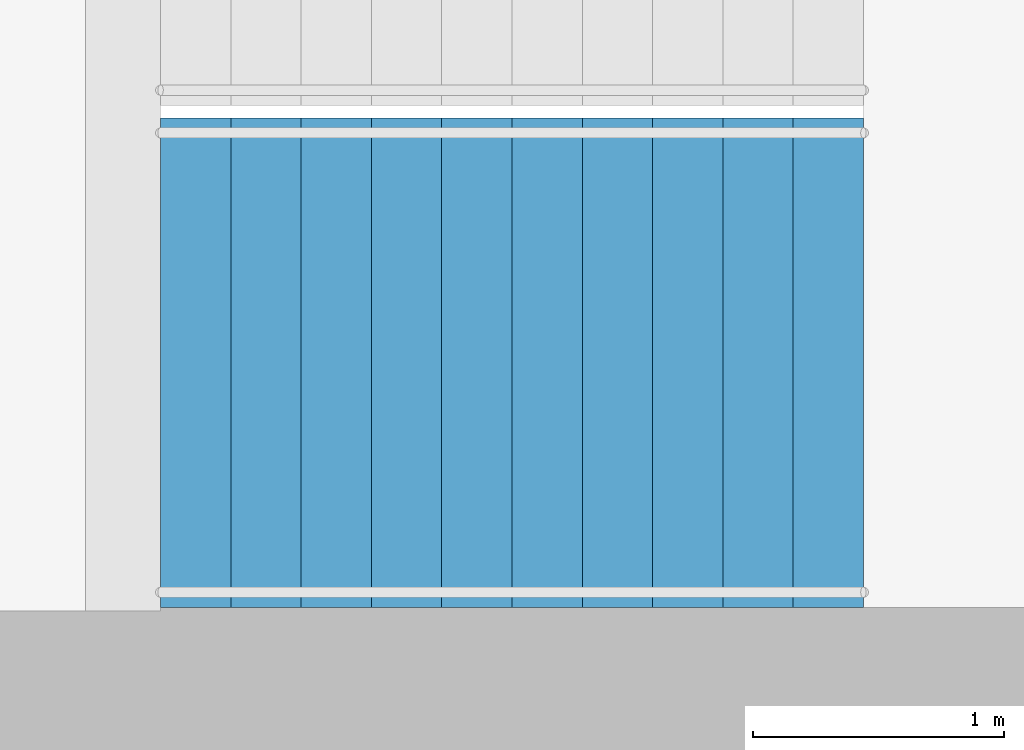
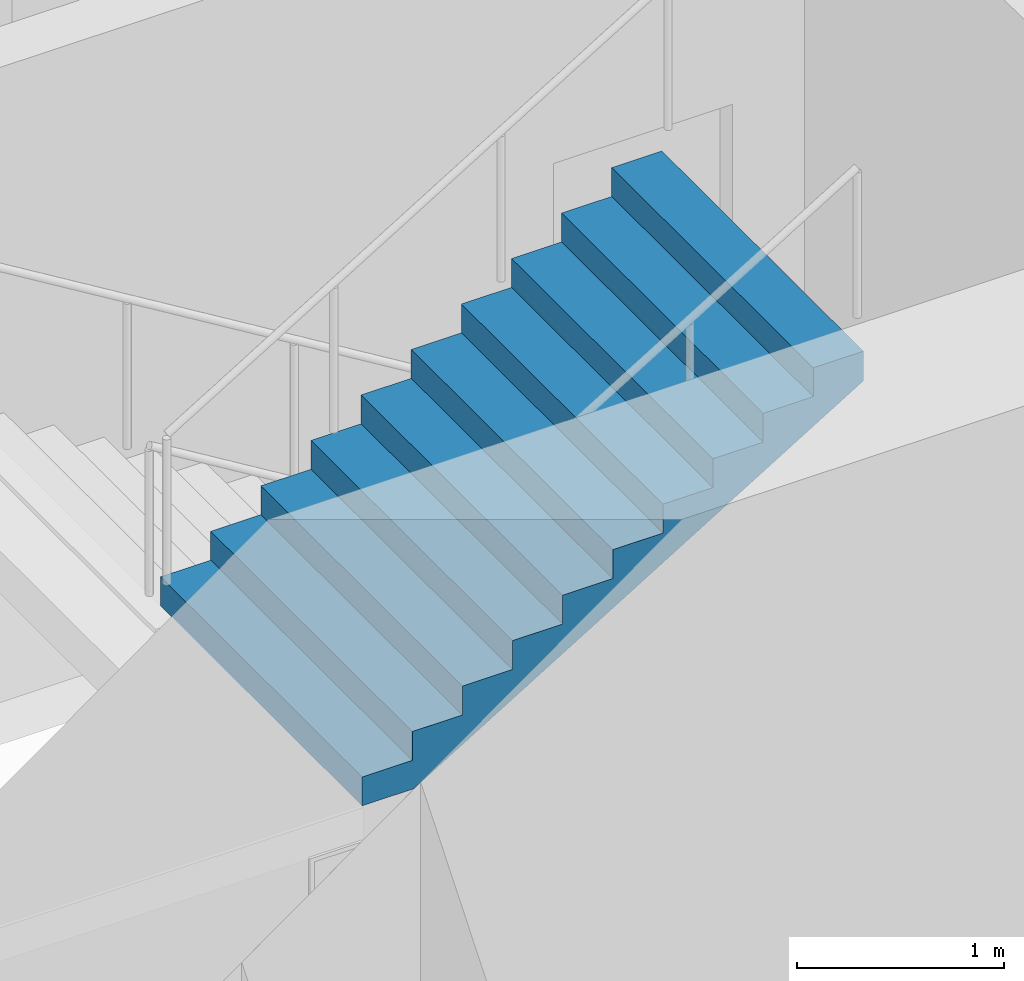
# One storey, part 21 of 23: 1 stair flight, 1 element without a shape of its own.
"""IFC4 building model written with IfcOpenShell, lengths in metres."""

from ifc_helpers import new_model, si_unit, direction, frame, origin, place, context, subcontext, project, spatial, triangles, material, type_object, element, aggregate, save


model = new_model("IFC4")

# Units and contexts
model_context = context("Model", 3, precision=1e-05, world=origin(), true_north=direction((0.0, 1.0)))
body_context = subcontext(model_context, "Body", "Model", "MODEL_VIEW")
ifc_project = project(units=[si_unit("LENGTHUNIT", "METRE"), si_unit("AREAUNIT", "SQUARE_METRE"), si_unit("VOLUMEUNIT", "CUBIC_METRE"), si_unit("PLANEANGLEUNIT", "RADIAN"), si_unit("MASSUNIT", "GRAM", prefix="KILO")], contexts=[model_context])

# Site, building, storey
site_placement = place(None, origin())
site = spatial("IfcSite", under=ifc_project, at=site_placement, CompositionType="ELEMENT")
building_placement = place(site_placement, origin())
building = spatial("IfcBuilding", under=site, at=building_placement, Name="Orbita Commons", CompositionType="ELEMENT")
storey_placement = place(building_placement, frame((0.0, 0.0, 50.199951171875)))
storey = spatial("IfcBuildingStorey", under=building, at=storey_placement, Name="L12", CompositionType="ELEMENT", Elevation=50.199951171875)

# Stair, stair flight
ifc_material_1 = material(Name="Precast concrete C40/50", Category="concrete")
stair_type = type_object("IfcStairType", Name="Exit stair S2 2 flights 11 risers 170", PredefinedType="HALF_TURN_STAIR", material=ifc_material_1)
stair_placement = place(storey_placement, origin())
stair = element("IfcStair", 1, at=stair_placement, inside=storey, type_object=stair_type, Name="Exit stair S2 L12", PredefinedType="HALF_TURN_STAIR")
ifc_material_2 = material(Name="Precast concrete C40/50", Category="concrete")
stair_flight_type = type_object("IfcStairFlightType", Name="Stair flight 11 risers 170 x 280", PredefinedType="STRAIGHT", material=ifc_material_2)
stair_flight_placement = place(storey_placement, frame((60.75, 27.27490234375, 1.875), z_axis=(0.0, 0.0, 1.0), x_axis=(1.0, 0.0, 0.0)))
stair_flight = element("IfcStairFlight", 2, at=stair_flight_placement, type_object=stair_flight_type, Name="S2 flight 2", NumberOfRisers=11, NumberOfTreads=10, PredefinedType="STRAIGHT", RiserHeight=0.170454545, TreadLength=0.28, context=body_context, shape_type="Tessellation", body=[
    triangles([(0.0, 0.974976, 0.0), (0.0, 0.974976, 0.021307), (0.0, 0.81248, 0.021307), (0.0, 0.81248, 0.0), (0.0, 0.649984, 0.021307), (0.0, 0.649984, 0.0), (0.0, 0.487488, 0.021307), (0.0, 0.487488, 0.0), (0.0, 0.324992, 0.021307), (0.0, 0.324992, 0.0), (0.0, 0.162496, 0.021307), (0.0, 0.162496, 0.0), (0.0, 0.0, 0.021307), (0.0, 0.0, 0.0), (0.0, -0.162496, 0.021307), (0.0, -0.162496, 0.0), (0.0, -0.324992, 0.021307), (0.0, -0.324992, 0.0), (0.0, -0.487488, 0.021307), (0.0, -0.487488, 0.0), (0.0, -0.649984, 0.021307), (0.0, -0.649984, 0.0), (0.0, -0.81248, 0.021307), (0.0, -0.81248, 0.0), (0.0, -0.974976, 0.021307), (0.0, -0.974976, 0.0), (0.0, 0.974976, 0.042614), (0.0, 0.81248, 0.042614), (0.0, 0.649984, 0.042614), (0.0, 0.487488, 0.042614), (0.0, 0.324992, 0.042614), (0.0, 0.162496, 0.042614), (0.0, 0.0, 0.042614), (0.0, -0.162496, 0.042614), (0.0, -0.324992, 0.042614), (0.0, -0.487488, 0.042614), (0.0, -0.649984, 0.042614), (0.0, -0.81248, 0.042614), (0.0, -0.974976, 0.042614), (0.0, 0.974976, 0.06392), (0.0, 0.81248, 0.06392), (0.0, 0.649984, 0.06392), (0.0, 0.487488, 0.06392), (0.0, 0.324992, 0.06392), (0.0, 0.162496, 0.06392), (0.0, 0.0, 0.06392), (0.0, -0.162496, 0.06392), (0.0, -0.324992, 0.06392), (0.0, -0.487488, 0.06392), (0.0, -0.649984, 0.06392), (0.0, -0.81248, 0.06392), (0.0, -0.974976, 0.06392), (0.0, 0.974976, 0.085227), (0.0, 0.81248, 0.085227), (0.0, 0.649984, 0.085227), (0.0, 0.487488, 0.085227), (0.0, 0.324992, 0.085227), (0.0, 0.162496, 0.085227), (0.0, 0.0, 0.085227), (0.0, -0.162496, 0.085227), (0.0, -0.324992, 0.085227), (0.0, -0.487488, 0.085227), (0.0, -0.649984, 0.085227), (0.0, -0.81248, 0.085227), (0.0, -0.974976, 0.085227), (0.0, 0.974976, 0.106534), (0.0, 0.81248, 0.106534), (0.0, 0.649984, 0.106534), (0.0, 0.487488, 0.106534), (0.0, 0.324992, 0.106534), (0.0, 0.162496, 0.106534), (0.0, 0.0, 0.106534), (0.0, -0.162496, 0.106534), (0.0, -0.324992, 0.106534), (0.0, -0.487488, 0.106534), (0.0, -0.649984, 0.106534), (0.0, -0.81248, 0.106534), (0.0, -0.974976, 0.106534), (0.0, 0.974976, 0.127841), (0.0, 0.81248, 0.127841), (0.0, 0.649984, 0.127841), (0.0, 0.487488, 0.127841), (0.0, 0.324992, 0.127841), (0.0, 0.162496, 0.127841), (0.0, 0.0, 0.127841), (0.0, -0.162496, 0.127841), (0.0, -0.324992, 0.127841), (0.0, -0.487488, 0.127841), (0.0, -0.649984, 0.127841), (0.0, -0.81248, 0.127841), (0.0, -0.974976, 0.127841), (0.0, 0.974976, 0.149148), (0.0, 0.81248, 0.149148), (0.0, 0.649984, 0.149148), (0.0, 0.487488, 0.149148), (0.0, 0.324992, 0.149148), (0.0, 0.162496, 0.149148), (0.0, 0.0, 0.149148), (0.0, -0.162496, 0.149148), (0.0, -0.324992, 0.149148), (0.0, -0.487488, 0.149148), (0.0, -0.649984, 0.149148), (0.0, -0.81248, 0.149148), (0.0, -0.974976, 0.149148), (0.0, 0.974976, 0.170455), (0.0, 0.81248, 0.170455), (0.0, 0.649984, 0.170455), (0.0, 0.487488, 0.170455), (0.0, 0.324992, 0.170455), (0.0, 0.162496, 0.170455), (0.0, 0.0, 0.170455), (0.0, -0.162496, 0.170455), (0.0, -0.324992, 0.170455), (0.0, -0.487488, 0.170455), (0.0, -0.649984, 0.170455), (0.0, -0.81248, 0.170455), (0.0, -0.974976, 0.170455), (0.28, 0.974976, 0.170455), (0.28, 0.81248, 0.170455), (0.28, 0.649984, 0.170455), (0.28, 0.487488, 0.170455), (0.28, 0.324992, 0.170455), (0.28, 0.162496, 0.170455), (0.28, 0.0, 0.170455), (0.28, -0.162496, 0.170455), (0.28, -0.324992, 0.170455), (0.28, -0.487488, 0.170455), (0.28, -0.649984, 0.170455), (0.28, -0.81248, 0.170455), (0.28, -0.974976, 0.170455), (0.28, 0.974976, 0.340909), (0.28, 0.81248, 0.340909), (0.28, 0.649984, 0.340909), (0.28, 0.487488, 0.340909), (0.28, 0.324992, 0.340909), (0.28, 0.162496, 0.340909), (0.28, 0.0, 0.340909), (0.28, -0.162496, 0.340909), (0.28, -0.324992, 0.340909), (0.28, -0.487488, 0.340909), (0.28, -0.649984, 0.340909), (0.28, -0.81248, 0.340909), (0.28, -0.974976, 0.340909), (0.56, 0.974976, 0.340909), (0.56, 0.81248, 0.340909), (0.56, 0.649984, 0.340909), (0.56, 0.487488, 0.340909), (0.56, 0.324992, 0.340909), (0.56, 0.162496, 0.340909), (0.56, 0.0, 0.340909), (0.56, -0.162496, 0.340909), (0.56, -0.324992, 0.340909), (0.56, -0.487488, 0.340909), (0.56, -0.649984, 0.340909), (0.56, -0.81248, 0.340909), (0.56, -0.974976, 0.340909), (0.56, 0.974976, 0.511364), (0.56, 0.81248, 0.511364), (0.56, 0.649984, 0.511364), (0.56, 0.487488, 0.511364), (0.56, 0.324992, 0.511364), (0.56, 0.162496, 0.511364), (0.56, 0.0, 0.511364), (0.56, -0.162496, 0.511364), (0.56, -0.324992, 0.511364), (0.56, -0.487488, 0.511364), (0.56, -0.649984, 0.511364), (0.56, -0.81248, 0.511364), (0.56, -0.974976, 0.511364), (0.84, 0.974976, 0.511364), (0.84, 0.81248, 0.511364), (0.84, 0.649984, 0.511364), (0.84, 0.487488, 0.511364), (0.84, 0.324992, 0.511364), (0.84, 0.162496, 0.511364), (0.84, 0.0, 0.511364), (0.84, -0.162496, 0.511364), (0.84, -0.324992, 0.511364), (0.84, -0.487488, 0.511364), (0.84, -0.649984, 0.511364), (0.84, -0.81248, 0.511364), (0.84, -0.974976, 0.511364), (0.84, 0.974976, 0.681818), (0.84, 0.81248, 0.681818), (0.84, 0.649984, 0.681818), (0.84, 0.487488, 0.681818), (0.84, 0.324992, 0.681818), (0.84, 0.162496, 0.681818), (0.84, 0.0, 0.681818), (0.84, -0.162496, 0.681818), (0.84, -0.324992, 0.681818), (0.84, -0.487488, 0.681818), (0.84, -0.649984, 0.681818), (0.84, -0.81248, 0.681818), (0.84, -0.974976, 0.681818), (1.12, 0.974976, 0.681818), (1.12, 0.81248, 0.681818), (1.12, 0.649984, 0.681818), (1.12, 0.487488, 0.681818), (1.12, 0.324992, 0.681818), (1.12, 0.162496, 0.681818), (1.12, 0.0, 0.681818), (1.12, -0.162496, 0.681818), (1.12, -0.324992, 0.681818), (1.12, -0.487488, 0.681818), (1.12, -0.649984, 0.681818), (1.12, -0.81248, 0.681818), (1.12, -0.974976, 0.681818), (1.12, 0.974976, 0.852273), (1.12, 0.81248, 0.852273), (1.12, 0.649984, 0.852273), (1.12, 0.487488, 0.852273), (1.12, 0.324992, 0.852273), (1.12, 0.162496, 0.852273), (1.12, 0.0, 0.852273), (1.12, -0.162496, 0.852273), (1.12, -0.324992, 0.852273), (1.12, -0.487488, 0.852273), (1.12, -0.649984, 0.852273), (1.12, -0.81248, 0.852273), (1.12, -0.974976, 0.852273), (1.4, 0.974976, 0.852273), (1.4, 0.81248, 0.852273), (1.4, 0.649984, 0.852273), (1.4, 0.487488, 0.852273), (1.4, 0.324992, 0.852273), (1.4, 0.162496, 0.852273), (1.4, 0.0, 0.852273), (1.4, -0.162496, 0.852273), (1.4, -0.324992, 0.852273), (1.4, -0.487488, 0.852273), (1.4, -0.649984, 0.852273), (1.4, -0.81248, 0.852273), (1.4, -0.974976, 0.852273), (1.4, 0.974976, 1.022727), (1.4, 0.81248, 1.022727), (1.4, 0.649984, 1.022727), (1.4, 0.487488, 1.022727), (1.4, 0.324992, 1.022727), (1.4, 0.162496, 1.022727), (1.4, 0.0, 1.022727), (1.4, -0.162496, 1.022727), (1.4, -0.324992, 1.022727), (1.4, -0.487488, 1.022727), (1.4, -0.649984, 1.022727), (1.4, -0.81248, 1.022727), (1.4, -0.974976, 1.022727), (1.68, 0.974976, 1.022727), (1.68, 0.81248, 1.022727), (1.68, 0.649984, 1.022727), (1.68, 0.487488, 1.022727), (1.68, 0.324992, 1.022727), (1.68, 0.162496, 1.022727), (1.68, 0.0, 1.022727), (1.68, -0.162496, 1.022727), (1.68, -0.324992, 1.022727), (1.68, -0.487488, 1.022727), (1.68, -0.649984, 1.022727), (1.68, -0.81248, 1.022727), (1.68, -0.974976, 1.022727), (1.68, 0.974976, 1.193182), (1.68, 0.81248, 1.193182), (1.68, 0.649984, 1.193182), (1.68, 0.487488, 1.193182), (1.68, 0.324992, 1.193182), (1.68, 0.162496, 1.193182), (1.68, 0.0, 1.193182), (1.68, -0.162496, 1.193182), (1.68, -0.324992, 1.193182), (1.68, -0.487488, 1.193182), (1.68, -0.649984, 1.193182), (1.68, -0.81248, 1.193182), (1.68, -0.974976, 1.193182), (1.96, 0.974976, 1.193182), (1.96, 0.81248, 1.193182), (1.96, 0.649984, 1.193182), (1.96, 0.487488, 1.193182), (1.96, 0.324992, 1.193182), (1.96, 0.162496, 1.193182), (1.96, 0.0, 1.193182), (1.96, -0.162496, 1.193182), (1.96, -0.324992, 1.193182), (1.96, -0.487488, 1.193182), (1.96, -0.649984, 1.193182), (1.96, -0.81248, 1.193182), (1.96, -0.974976, 1.193182), (1.96, 0.974976, 1.363636), (1.96, 0.81248, 1.363636), (1.96, 0.649984, 1.363636), (1.96, 0.487488, 1.363636), (1.96, 0.324992, 1.363636), (1.96, 0.162496, 1.363636), (1.96, 0.0, 1.363636), (1.96, -0.162496, 1.363636), (1.96, -0.324992, 1.363636), (1.96, -0.487488, 1.363636), (1.96, -0.649984, 1.363636), (1.96, -0.81248, 1.363636), (1.96, -0.974976, 1.363636), (2.24, 0.974976, 1.363636), (2.24, 0.81248, 1.363636), (2.24, 0.649984, 1.363636), (2.24, 0.487488, 1.363636), (2.24, 0.324992, 1.363636), (2.24, 0.162496, 1.363636), (2.24, 0.0, 1.363636), (2.24, -0.162496, 1.363636), (2.24, -0.324992, 1.363636), (2.24, -0.487488, 1.363636), (2.24, -0.649984, 1.363636), (2.24, -0.81248, 1.363636), (2.24, -0.974976, 1.363636), (2.24, 0.974976, 1.534091), (2.24, 0.81248, 1.534091), (2.24, 0.649984, 1.534091), (2.24, 0.487488, 1.534091), (2.24, 0.324992, 1.534091), (2.24, 0.162496, 1.534091), (2.24, 0.0, 1.534091), (2.24, -0.162496, 1.534091), (2.24, -0.324992, 1.534091), (2.24, -0.487488, 1.534091), (2.24, -0.649984, 1.534091), (2.24, -0.81248, 1.534091), (2.24, -0.974976, 1.534091), (2.52, 0.974976, 1.534091), (2.52, 0.81248, 1.534091), (2.52, 0.649984, 1.534091), (2.52, 0.487488, 1.534091), (2.52, 0.324992, 1.534091), (2.52, 0.162496, 1.534091), (2.52, 0.0, 1.534091), (2.52, -0.162496, 1.534091), (2.52, -0.324992, 1.534091), (2.52, -0.487488, 1.534091), (2.52, -0.649984, 1.534091), (2.52, -0.81248, 1.534091), (2.52, -0.974976, 1.534091), (2.52, 0.974976, 1.704545), (2.52, 0.81248, 1.704545), (2.52, 0.649984, 1.704545), (2.52, 0.487488, 1.704545), (2.52, 0.324992, 1.704545), (2.52, 0.162496, 1.704545), (2.52, 0.0, 1.704545), (2.52, -0.162496, 1.704545), (2.52, -0.324992, 1.704545), (2.52, -0.487488, 1.704545), (2.52, -0.649984, 1.704545), (2.52, -0.81248, 1.704545), (2.52, -0.974976, 1.704545), (2.8, 0.974976, 1.704545), (2.8, 0.81248, 1.704545), (2.8, 0.649984, 1.704545), (2.8, 0.487488, 1.704545), (2.8, 0.324992, 1.704545), (2.8, 0.162496, 1.704545), (2.8, 0.0, 1.704545), (2.8, -0.162496, 1.704545), (2.8, -0.324992, 1.704545), (2.8, -0.487488, 1.704545), (2.8, -0.649984, 1.704545), (2.8, -0.81248, 1.704545), (2.8, -0.974976, 1.704545), (2.8, 0.974976, 1.682609), (2.8, 0.81248, 1.682609), (2.8, 0.649984, 1.682609), (2.8, 0.487488, 1.682609), (2.8, 0.324992, 1.682609), (2.8, 0.162496, 1.682609), (2.8, 0.0, 1.682609), (2.8, -0.162496, 1.682609), (2.8, -0.324992, 1.682609), (2.8, -0.487488, 1.682609), (2.8, -0.649984, 1.682609), (2.8, -0.81248, 1.682609), (2.8, -0.974976, 1.682609), (2.8, 0.974976, 1.660672), (2.8, 0.81248, 1.660672), (2.8, 0.649984, 1.660672), (2.8, 0.487488, 1.660672), (2.8, 0.324992, 1.660672), (2.8, 0.162496, 1.660672), (2.8, 0.0, 1.660672), (2.8, -0.162496, 1.660672), (2.8, -0.324992, 1.660672), (2.8, -0.487488, 1.660672), (2.8, -0.649984, 1.660672), (2.8, -0.81248, 1.660672), (2.8, -0.974976, 1.660672), (2.8, 0.974976, 1.638735), (2.8, 0.81248, 1.638735), (2.8, 0.649984, 1.638735), (2.8, 0.487488, 1.638735), (2.8, 0.324992, 1.638735), (2.8, 0.162496, 1.638735), (2.8, 0.0, 1.638735), (2.8, -0.162496, 1.638735), (2.8, -0.324992, 1.638735), (2.8, -0.487488, 1.638735), (2.8, -0.649984, 1.638735), (2.8, -0.81248, 1.638735), (2.8, -0.974976, 1.638735), (2.8, 0.974976, 1.616798), (2.8, 0.81248, 1.616798), (2.8, 0.649984, 1.616798), (2.8, 0.487488, 1.616798), (2.8, 0.324992, 1.616798), (2.8, 0.162496, 1.616798), (2.8, 0.0, 1.616798), (2.8, -0.162496, 1.616798), (2.8, -0.324992, 1.616798), (2.8, -0.487488, 1.616798), (2.8, -0.649984, 1.616798), (2.8, -0.81248, 1.616798), (2.8, -0.974976, 1.616798), (2.8, 0.974976, 1.594861), (2.8, 0.81248, 1.594861), (2.8, 0.649984, 1.594861), (2.8, 0.487488, 1.594861), (2.8, 0.324992, 1.594861), (2.8, 0.162496, 1.594861), (2.8, 0.0, 1.594861), (2.8, -0.162496, 1.594861), (2.8, -0.324992, 1.594861), (2.8, -0.487488, 1.594861), (2.8, -0.649984, 1.594861), (2.8, -0.81248, 1.594861), (2.8, -0.974976, 1.594861), (2.8, 0.974976, 1.572925), (2.8, 0.81248, 1.572925), (2.8, 0.649984, 1.572925), (2.8, 0.487488, 1.572925), (2.8, 0.324992, 1.572925), (2.8, 0.162496, 1.572925), (2.8, 0.0, 1.572925), (2.8, -0.162496, 1.572925), (2.8, -0.324992, 1.572925), (2.8, -0.487488, 1.572925), (2.8, -0.649984, 1.572925), (2.8, -0.81248, 1.572925), (2.8, -0.974976, 1.572925), (2.8, 0.974976, 1.550988), (2.8, 0.81248, 1.550988), (2.8, 0.649984, 1.550988), (2.8, 0.487488, 1.550988), (2.8, 0.324992, 1.550988), (2.8, 0.162496, 1.550988), (2.8, 0.0, 1.550988), (2.8, -0.162496, 1.550988), (2.8, -0.324992, 1.550988), (2.8, -0.487488, 1.550988), (2.8, -0.649984, 1.550988), (2.8, -0.81248, 1.550988), (2.8, -0.974976, 1.550988), (2.8, 0.974976, 1.529051), (2.8, 0.81248, 1.529051), (2.8, 0.649984, 1.529051), (2.8, 0.487488, 1.529051), (2.8, 0.324992, 1.529051), (2.8, 0.162496, 1.529051), (2.8, 0.0, 1.529051), (2.8, -0.162496, 1.529051), (2.8, -0.324992, 1.529051), (2.8, -0.487488, 1.529051), (2.8, -0.649984, 1.529051), (2.8, -0.81248, 1.529051), (2.8, -0.974976, 1.529051), (0.288279, 0.974976, 0.0), (0.288279, 0.81248, 0.0), (0.288279, 0.649984, 0.0), (0.288279, 0.487488, 0.0), (0.288279, 0.324992, 0.0), (0.288279, 0.162496, 0.0), (0.288279, 0.0, 0.0), (0.288279, -0.162496, 0.0), (0.288279, -0.324992, 0.0), (0.288279, -0.487488, 0.0), (0.288279, -0.649984, 0.0), (0.288279, -0.81248, 0.0), (0.288279, -0.974976, 0.0)], [[3, 2, 1], [4, 3, 1], [5, 3, 4], [6, 5, 4], [7, 5, 6], [8, 7, 6], [9, 7, 8], [10, 9, 8], [11, 9, 10], [12, 11, 10], [13, 11, 12], [14, 13, 12], [15, 13, 14], [16, 15, 14], [17, 15, 16], [18, 17, 16], [19, 17, 18], [20, 19, 18], [21, 19, 20], [22, 21, 20], [23, 21, 22], [24, 23, 22], [25, 23, 24], [26, 25, 24], [28, 27, 2], [3, 28, 2], [29, 28, 3], [5, 29, 3], [30, 29, 5], [7, 30, 5], [31, 30, 7], [9, 31, 7], [32, 31, 9], [11, 32, 9], [33, 32, 11], [13, 33, 11], [34, 33, 13], [15, 34, 13], [35, 34, 15], [17, 35, 15], [36, 35, 17], [19, 36, 17], [37, 36, 19], [21, 37, 19], [38, 37, 21], [23, 38, 21], [39, 38, 23], [25, 39, 23], [41, 40, 27], [28, 41, 27], [42, 41, 28], [29, 42, 28], [43, 42, 29], [30, 43, 29], [44, 43, 30], [31, 44, 30], [45, 44, 31], [32, 45, 31], [46, 45, 32], [33, 46, 32], [47, 46, 33], [34, 47, 33], [48, 47, 34], [35, 48, 34], [49, 48, 35], [36, 49, 35], [50, 49, 36], [37, 50, 36], [51, 50, 37], [38, 51, 37], [52, 51, 38], [39, 52, 38], [54, 53, 40], [41, 54, 40], [55, 54, 41], [42, 55, 41], [56, 55, 42], [43, 56, 42], [57, 56, 43], [44, 57, 43], [58, 57, 44], [45, 58, 44], [59, 58, 45], [46, 59, 45], [60, 59, 46], [47, 60, 46], [61, 60, 47], [48, 61, 47], [62, 61, 48], [49, 62, 48], [63, 62, 49], [50, 63, 49], [64, 63, 50], [51, 64, 50], [65, 64, 51], [52, 65, 51], [67, 66, 53], [54, 67, 53], [68, 67, 54], [55, 68, 54], [69, 68, 55], [56, 69, 55], [70, 69, 56], [57, 70, 56], [71, 70, 57], [58, 71, 57], [72, 71, 58], [59, 72, 58], [73, 72, 59], [60, 73, 59], [74, 73, 60], [61, 74, 60], [75, 74, 61], [62, 75, 61], [76, 75, 62], [63, 76, 62], [77, 76, 63], [64, 77, 63], [78, 77, 64], [65, 78, 64], [80, 79, 66], [67, 80, 66], [81, 80, 67], [68, 81, 67], [82, 81, 68], [69, 82, 68], [83, 82, 69], [70, 83, 69], [84, 83, 70], [71, 84, 70], [85, 84, 71], [72, 85, 71], [86, 85, 72], [73, 86, 72], [87, 86, 73], [74, 87, 73], [88, 87, 74], [75, 88, 74], [89, 88, 75], [76, 89, 75], [90, 89, 76], [77, 90, 76], [91, 90, 77], [78, 91, 77], [93, 92, 79], [80, 93, 79], [94, 93, 80], [81, 94, 80], [95, 94, 81], [82, 95, 81], [96, 95, 82], [83, 96, 82], [97, 96, 83], [84, 97, 83], [98, 97, 84], [85, 98, 84], [99, 98, 85], [86, 99, 85], [100, 99, 86], [87, 100, 86], [101, 100, 87], [88, 101, 87], [102, 101, 88], [89, 102, 88], [103, 102, 89], [90, 103, 89], [104, 103, 90], [91, 104, 90], [106, 105, 92], [93, 106, 92], [107, 106, 93], [94, 107, 93], [108, 107, 94], [95, 108, 94], [109, 108, 95], [96, 109, 95], [110, 109, 96], [97, 110, 96], [111, 110, 97], [98, 111, 97], [112, 111, 98], [99, 112, 98], [113, 112, 99], [100, 113, 99], [114, 113, 100], [101, 114, 100], [115, 114, 101], [102, 115, 101], [116, 115, 102], [103, 116, 102], [117, 116, 103], [104, 117, 103], [119, 118, 105], [106, 119, 105], [120, 119, 106], [107, 120, 106], [121, 120, 107], [108, 121, 107], [122, 121, 108], [109, 122, 108], [123, 122, 109], [110, 123, 109], [124, 123, 110], [111, 124, 110], [125, 124, 111], [112, 125, 111], [126, 125, 112], [113, 126, 112], [127, 126, 113], [114, 127, 113], [128, 127, 114], [115, 128, 114], [129, 128, 115], [116, 129, 115], [130, 129, 116], [117, 130, 116], [132, 131, 118], [119, 132, 118], [133, 132, 119], [120, 133, 119], [134, 133, 120], [121, 134, 120], [135, 134, 121], [122, 135, 121], [136, 135, 122], [123, 136, 122], [137, 136, 123], [124, 137, 123], [138, 137, 124], [125, 138, 124], [139, 138, 125], [126, 139, 125], [140, 139, 126], [127, 140, 126], [141, 140, 127], [128, 141, 127], [142, 141, 128], [129, 142, 128], [143, 142, 129], [130, 143, 129], [145, 144, 131], [132, 145, 131], [146, 145, 132], [133, 146, 132], [147, 146, 133], [134, 147, 133], [148, 147, 134], [135, 148, 134], [149, 148, 135], [136, 149, 135], [150, 149, 136], [137, 150, 136], [151, 150, 137], [138, 151, 137], [152, 151, 138], [139, 152, 138], [153, 152, 139], [140, 153, 139], [154, 153, 140], [141, 154, 140], [155, 154, 141], [142, 155, 141], [156, 155, 142], [143, 156, 142], [158, 157, 144], [145, 158, 144], [159, 158, 145], [146, 159, 145], [160, 159, 146], [147, 160, 146], [161, 160, 147], [148, 161, 147], [162, 161, 148], [149, 162, 148], [163, 162, 149], [150, 163, 149], [164, 163, 150], [151, 164, 150], [165, 164, 151], [152, 165, 151], [166, 165, 152], [153, 166, 152], [167, 166, 153], [154, 167, 153], [168, 167, 154], [155, 168, 154], [169, 168, 155], [156, 169, 155], [171, 170, 157], [158, 171, 157], [172, 171, 158], [159, 172, 158], [173, 172, 159], [160, 173, 159], [174, 173, 160], [161, 174, 160], [175, 174, 161], [162, 175, 161], [176, 175, 162], [163, 176, 162], [177, 176, 163], [164, 177, 163], [178, 177, 164], [165, 178, 164], [179, 178, 165], [166, 179, 165], [180, 179, 166], [167, 180, 166], [181, 180, 167], [168, 181, 167], [182, 181, 168], [169, 182, 168], [184, 183, 170], [171, 184, 170], [185, 184, 171], [172, 185, 171], [186, 185, 172], [173, 186, 172], [187, 186, 173], [174, 187, 173], [188, 187, 174], [175, 188, 174], [189, 188, 175], [176, 189, 175], [190, 189, 176], [177, 190, 176], [191, 190, 177], [178, 191, 177], [192, 191, 178], [179, 192, 178], [193, 192, 179], [180, 193, 179], [194, 193, 180], [181, 194, 180], [195, 194, 181], [182, 195, 181], [197, 196, 183], [184, 197, 183], [198, 197, 184], [185, 198, 184], [199, 198, 185], [186, 199, 185], [200, 199, 186], [187, 200, 186], [201, 200, 187], [188, 201, 187], [202, 201, 188], [189, 202, 188], [203, 202, 189], [190, 203, 189], [204, 203, 190], [191, 204, 190], [205, 204, 191], [192, 205, 191], [206, 205, 192], [193, 206, 192], [207, 206, 193], [194, 207, 193], [208, 207, 194], [195, 208, 194], [210, 209, 196], [197, 210, 196], [211, 210, 197], [198, 211, 197], [212, 211, 198], [199, 212, 198], [213, 212, 199], [200, 213, 199], [214, 213, 200], [201, 214, 200], [215, 214, 201], [202, 215, 201], [216, 215, 202], [203, 216, 202], [217, 216, 203], [204, 217, 203], [218, 217, 204], [205, 218, 204], [219, 218, 205], [206, 219, 205], [220, 219, 206], [207, 220, 206], [221, 220, 207], [208, 221, 207], [223, 222, 209], [210, 223, 209], [224, 223, 210], [211, 224, 210], [225, 224, 211], [212, 225, 211], [226, 225, 212], [213, 226, 212], [227, 226, 213], [214, 227, 213], [228, 227, 214], [215, 228, 214], [229, 228, 215], [216, 229, 215], [230, 229, 216], [217, 230, 216], [231, 230, 217], [218, 231, 217], [232, 231, 218], [219, 232, 218], [233, 232, 219], [220, 233, 219], [234, 233, 220], [221, 234, 220], [236, 235, 222], [223, 236, 222], [237, 236, 223], [224, 237, 223], [238, 237, 224], [225, 238, 224], [239, 238, 225], [226, 239, 225], [240, 239, 226], [227, 240, 226], [241, 240, 227], [228, 241, 227], [242, 241, 228], [229, 242, 228], [243, 242, 229], [230, 243, 229], [244, 243, 230], [231, 244, 230], [245, 244, 231], [232, 245, 231], [246, 245, 232], [233, 246, 232], [247, 246, 233], [234, 247, 233], [249, 248, 235], [236, 249, 235], [250, 249, 236], [237, 250, 236], [251, 250, 237], [238, 251, 237], [252, 251, 238], [239, 252, 238], [253, 252, 239], [240, 253, 239], [254, 253, 240], [241, 254, 240], [255, 254, 241], [242, 255, 241], [256, 255, 242], [243, 256, 242], [257, 256, 243], [244, 257, 243], [258, 257, 244], [245, 258, 244], [259, 258, 245], [246, 259, 245], [260, 259, 246], [247, 260, 246], [262, 261, 248], [249, 262, 248], [263, 262, 249], [250, 263, 249], [264, 263, 250], [251, 264, 250], [265, 264, 251], [252, 265, 251], [266, 265, 252], [253, 266, 252], [267, 266, 253], [254, 267, 253], [268, 267, 254], [255, 268, 254], [269, 268, 255], [256, 269, 255], [270, 269, 256], [257, 270, 256], [271, 270, 257], [258, 271, 257], [272, 271, 258], [259, 272, 258], [273, 272, 259], [260, 273, 259], [275, 274, 261], [262, 275, 261], [276, 275, 262], [263, 276, 262], [277, 276, 263], [264, 277, 263], [278, 277, 264], [265, 278, 264], [279, 278, 265], [266, 279, 265], [280, 279, 266], [267, 280, 266], [281, 280, 267], [268, 281, 267], [282, 281, 268], [269, 282, 268], [283, 282, 269], [270, 283, 269], [284, 283, 270], [271, 284, 270], [285, 284, 271], [272, 285, 271], [286, 285, 272], [273, 286, 272], [288, 287, 274], [275, 288, 274], [289, 288, 275], [276, 289, 275], [290, 289, 276], [277, 290, 276], [291, 290, 277], [278, 291, 277], [292, 291, 278], [279, 292, 278], [293, 292, 279], [280, 293, 279], [294, 293, 280], [281, 294, 280], [295, 294, 281], [282, 295, 281], [296, 295, 282], [283, 296, 282], [297, 296, 283], [284, 297, 283], [298, 297, 284], [285, 298, 284], [299, 298, 285], [286, 299, 285], [301, 300, 287], [288, 301, 287], [302, 301, 288], [289, 302, 288], [303, 302, 289], [290, 303, 289], [304, 303, 290], [291, 304, 290], [305, 304, 291], [292, 305, 291], [306, 305, 292], [293, 306, 292], [307, 306, 293], [294, 307, 293], [308, 307, 294], [295, 308, 294], [309, 308, 295], [296, 309, 295], [310, 309, 296], [297, 310, 296], [311, 310, 297], [298, 311, 297], [312, 311, 298], [299, 312, 298], [314, 313, 300], [301, 314, 300], [315, 314, 301], [302, 315, 301], [316, 315, 302], [303, 316, 302], [317, 316, 303], [304, 317, 303], [318, 317, 304], [305, 318, 304], [319, 318, 305], [306, 319, 305], [320, 319, 306], [307, 320, 306], [321, 320, 307], [308, 321, 307], [322, 321, 308], [309, 322, 308], [323, 322, 309], [310, 323, 309], [324, 323, 310], [311, 324, 310], [325, 324, 311], [312, 325, 311], [327, 326, 313], [314, 327, 313], [328, 327, 314], [315, 328, 314], [329, 328, 315], [316, 329, 315], [330, 329, 316], [317, 330, 316], [331, 330, 317], [318, 331, 317], [332, 331, 318], [319, 332, 318], [333, 332, 319], [320, 333, 319], [334, 333, 320], [321, 334, 320], [335, 334, 321], [322, 335, 321], [336, 335, 322], [323, 336, 322], [337, 336, 323], [324, 337, 323], [338, 337, 324], [325, 338, 324], [340, 339, 326], [327, 340, 326], [341, 340, 327], [328, 341, 327], [342, 341, 328], [329, 342, 328], [343, 342, 329], [330, 343, 329], [344, 343, 330], [331, 344, 330], [345, 344, 331], [332, 345, 331], [346, 345, 332], [333, 346, 332], [347, 346, 333], [334, 347, 333], [348, 347, 334], [335, 348, 334], [349, 348, 335], [336, 349, 335], [350, 349, 336], [337, 350, 336], [351, 350, 337], [338, 351, 337], [353, 352, 339], [340, 353, 339], [354, 353, 340], [341, 354, 340], [355, 354, 341], [342, 355, 341], [356, 355, 342], [343, 356, 342], [357, 356, 343], [344, 357, 343], [358, 357, 344], [345, 358, 344], [359, 358, 345], [346, 359, 345], [360, 359, 346], [347, 360, 346], [361, 360, 347], [348, 361, 347], [362, 361, 348], [349, 362, 348], [363, 362, 349], [350, 363, 349], [364, 363, 350], [351, 364, 350], [366, 365, 352], [353, 366, 352], [367, 366, 353], [354, 367, 353], [368, 367, 354], [355, 368, 354], [369, 368, 355], [356, 369, 355], [370, 369, 356], [357, 370, 356], [371, 370, 357], [358, 371, 357], [372, 371, 358], [359, 372, 358], [373, 372, 359], [360, 373, 359], [374, 373, 360], [361, 374, 360], [375, 374, 361], [362, 375, 361], [376, 375, 362], [363, 376, 362], [377, 376, 363], [364, 377, 363], [379, 378, 365], [366, 379, 365], [380, 379, 366], [367, 380, 366], [381, 380, 367], [368, 381, 367], [382, 381, 368], [369, 382, 368], [383, 382, 369], [370, 383, 369], [384, 383, 370], [371, 384, 370], [385, 384, 371], [372, 385, 371], [386, 385, 372], [373, 386, 372], [387, 386, 373], [374, 387, 373], [388, 387, 374], [375, 388, 374], [389, 388, 375], [376, 389, 375], [390, 389, 376], [377, 390, 376], [392, 391, 378], [379, 392, 378], [393, 392, 379], [380, 393, 379], [394, 393, 380], [381, 394, 380], [395, 394, 381], [382, 395, 381], [396, 395, 382], [383, 396, 382], [397, 396, 383], [384, 397, 383], [398, 397, 384], [385, 398, 384], [399, 398, 385], [386, 399, 385], [400, 399, 386], [387, 400, 386], [401, 400, 387], [388, 401, 387], [402, 401, 388], [389, 402, 388], [403, 402, 389], [390, 403, 389], [405, 404, 391], [392, 405, 391], [406, 405, 392], [393, 406, 392], [407, 406, 393], [394, 407, 393], [408, 407, 394], [395, 408, 394], [409, 408, 395], [396, 409, 395], [410, 409, 396], [397, 410, 396], [411, 410, 397], [398, 411, 397], [412, 411, 398], [399, 412, 398], [413, 412, 399], [400, 413, 399], [414, 413, 400], [401, 414, 400], [415, 414, 401], [402, 415, 401], [416, 415, 402], [403, 416, 402], [418, 417, 404], [405, 418, 404], [419, 418, 405], [406, 419, 405], [420, 419, 406], [407, 420, 406], [421, 420, 407], [408, 421, 407], [422, 421, 408], [409, 422, 408], [423, 422, 409], [410, 423, 409], [424, 423, 410], [411, 424, 410], [425, 424, 411], [412, 425, 411], [426, 425, 412], [413, 426, 412], [427, 426, 413], [414, 427, 413], [428, 427, 414], [415, 428, 414], [429, 428, 415], [416, 429, 415], [431, 430, 417], [418, 431, 417], [432, 431, 418], [419, 432, 418], [433, 432, 419], [420, 433, 419], [434, 433, 420], [421, 434, 420], [435, 434, 421], [422, 435, 421], [436, 435, 422], [423, 436, 422], [437, 436, 423], [424, 437, 423], [438, 437, 424], [425, 438, 424], [439, 438, 425], [426, 439, 425], [440, 439, 426], [427, 440, 426], [441, 440, 427], [428, 441, 427], [442, 441, 428], [429, 442, 428], [444, 443, 430], [431, 444, 430], [445, 444, 431], [432, 445, 431], [446, 445, 432], [433, 446, 432], [447, 446, 433], [434, 447, 433], [448, 447, 434], [435, 448, 434], [449, 448, 435], [436, 449, 435], [450, 449, 436], [437, 450, 436], [451, 450, 437], [438, 451, 437], [452, 451, 438], [439, 452, 438], [453, 452, 439], [440, 453, 439], [454, 453, 440], [441, 454, 440], [455, 454, 441], [442, 455, 441], [457, 456, 443], [444, 457, 443], [458, 457, 444], [445, 458, 444], [459, 458, 445], [446, 459, 445], [460, 459, 446], [447, 460, 446], [461, 460, 447], [448, 461, 447], [462, 461, 448], [449, 462, 448], [463, 462, 449], [450, 463, 449], [464, 463, 450], [451, 464, 450], [465, 464, 451], [452, 465, 451], [466, 465, 452], [453, 466, 452], [467, 466, 453], [454, 467, 453], [468, 467, 454], [455, 468, 454], [470, 469, 456], [457, 470, 456], [471, 470, 457], [458, 471, 457], [472, 471, 458], [459, 472, 458], [473, 472, 459], [460, 473, 459], [474, 473, 460], [461, 474, 460], [475, 474, 461], [462, 475, 461], [476, 475, 462], [463, 476, 462], [477, 476, 463], [464, 477, 463], [478, 477, 464], [465, 478, 464], [479, 478, 465], [466, 479, 465], [480, 479, 466], [467, 480, 466], [481, 480, 467], [468, 481, 467], [4, 1, 469], [470, 4, 469], [6, 4, 470], [471, 6, 470], [8, 6, 471], [472, 8, 471], [10, 8, 472], [473, 10, 472], [12, 10, 473], [474, 12, 473], [14, 12, 474], [475, 14, 474], [16, 14, 475], [476, 16, 475], [18, 16, 476], [477, 18, 476], [20, 18, 477], [478, 20, 477], [22, 20, 478], [479, 22, 478], [24, 22, 479], [480, 24, 479], [26, 24, 480], [481, 26, 480], [456, 469, 1], [26, 481, 468], [443, 456, 1], [26, 468, 455], [430, 443, 1], [26, 455, 442], [417, 430, 1], [26, 442, 429], [404, 417, 1], [26, 429, 416], [391, 404, 1], [26, 416, 403], [378, 391, 1], [26, 403, 390], [365, 378, 1], [26, 390, 377], [339, 352, 365], [377, 364, 351], [326, 339, 365], [377, 351, 338], [300, 313, 326], [338, 325, 312], [300, 326, 365], [377, 338, 312], [274, 287, 300], [312, 299, 286], [274, 300, 365], [377, 312, 286], [248, 261, 274], [286, 273, 260], [248, 274, 365], [377, 286, 260], [222, 235, 248], [260, 247, 234], [222, 248, 365], [377, 260, 234], [196, 209, 222], [234, 221, 208], [196, 222, 365], [377, 234, 208], [170, 183, 196], [208, 195, 182], [170, 196, 365], [377, 208, 182], [144, 157, 170], [182, 169, 156], [144, 170, 365], [377, 182, 156], [118, 131, 144], [156, 143, 130], [118, 144, 365], [377, 156, 130], [118, 365, 1], [26, 377, 130], [92, 105, 118], [130, 117, 104], [79, 92, 118], [130, 104, 91], [66, 79, 118], [130, 91, 78], [53, 66, 118], [130, 78, 65], [40, 53, 118], [130, 65, 52], [27, 40, 118], [130, 52, 39], [2, 27, 118], [130, 39, 25], [1, 2, 118], [130, 25, 26]], closed=True),
])
aggregate(stair, [stair_flight])

save(model, "model.ifc")
